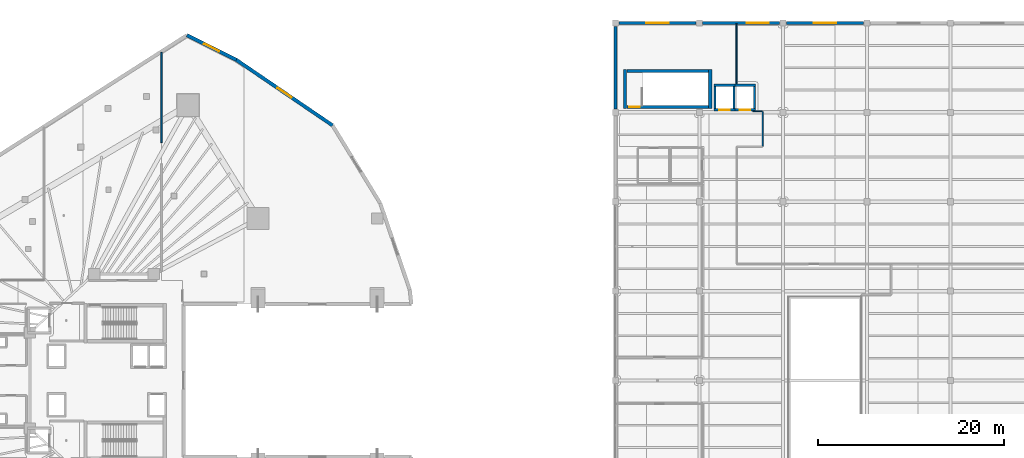
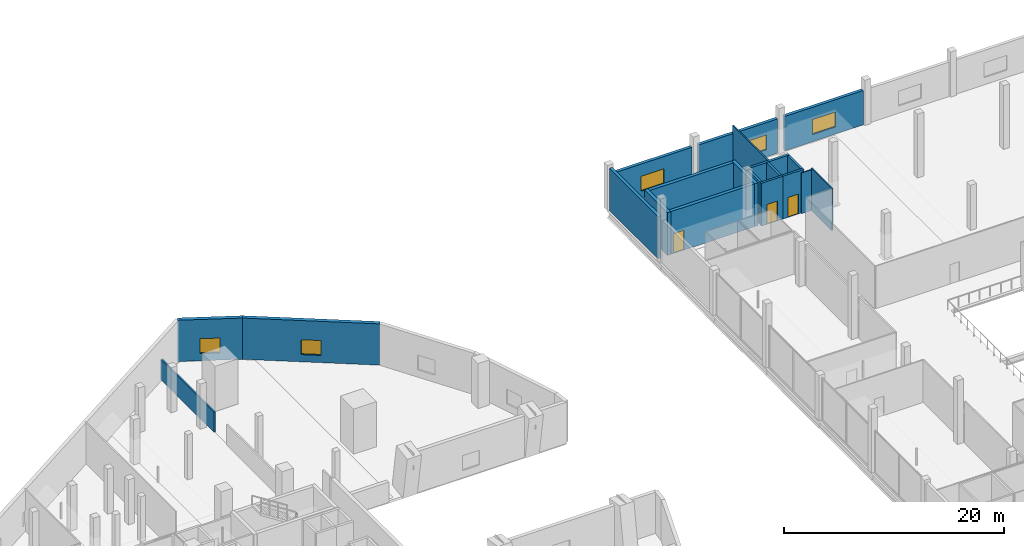
# One storey, part 33 of 43: 21 walls, 5 windows, 3 doors, 8 openings.
"""IFC4 building model written with IfcOpenShell, lengths in metres."""

from ifc_helpers import new_model, si_unit, direction, frame, frame_2d, origin, place, context, subcontext, project, spatial, rectangle, extrude, material, layer, layer_set, type_object, element, fill, save


model = new_model("IFC4")

# Units and contexts
model_context = context("Model", 3, precision=1e-05, world=origin(), true_north=direction((0.0, 1.0)))
body_context = subcontext(model_context, "Body", "Model", "MODEL_VIEW")
ifc_project = project(units=[si_unit("LENGTHUNIT", "METRE"), si_unit("AREAUNIT", "SQUARE_METRE"), si_unit("VOLUMEUNIT", "CUBIC_METRE"), si_unit("PLANEANGLEUNIT", "RADIAN"), si_unit("MASSUNIT", "GRAM", prefix="KILO")], contexts=[model_context])

# Site, building, storey
site_placement = place(None, origin())
site = spatial("IfcSite", under=ifc_project, at=site_placement, CompositionType="ELEMENT")
building_placement = place(site_placement, origin())
building = spatial("IfcBuilding", under=site, at=building_placement, Name="Qorvath Tower", CompositionType="ELEMENT")
storey_placement = place(building_placement, frame((0.0, 0.0, 22.0)))
storey = spatial("IfcBuildingStorey", under=building, at=storey_placement, Name="L04", CompositionType="ELEMENT", Elevation=22.0)

# Walls
ifc_material_1 = material(Name="Double acoustic gypsum board on steel studs", Category="steel")
ifc_layer_1 = layer(ifc_material_1, 0.159912109375)
ifc_layer_set_1 = layer_set([ifc_layer_1], Name="IW-ACOUSTIC-160")
wall_type_1 = type_object("IfcWallType", Name="IW-ACOUSTIC-160", PredefinedType="PARTITIONING", material=ifc_layer_set_1)
wall_1_placement = place(storey_placement, frame((-16.388427734375, 25.548095703125, 0.0), z_axis=(0.0, 0.0, 1.0), x_axis=(0.0, 1.0, 0.0)))
element("IfcWall", 1, at=wall_1_placement, inside=storey, type_object=wall_type_1, Name="Interior Partition IW-T1-L04-027", PredefinedType="PARTITIONING", context=body_context, shape_type="SweptSolid", body=[
    extrude(rectangle(XDim=9.70654296875, YDim=0.159912109375, at=frame_2d((4.853271484375, 0.0))), origin(), (0.0, 0.0, 1.0), 2.25),
])
ifc_material_2 = material(Name="Gypsum board on metal studs with mineral wool", Category="gypsum")
ifc_layer_2 = layer(ifc_material_2, 0.125)
ifc_layer_set_2 = layer_set([ifc_layer_2], Name="IW-PART-125")
wall_type_2 = type_object("IfcWallType", Name="IW-PART-125", PredefinedType="PARTITIONING", material=ifc_layer_set_2)
wall_2_placement = place(storey_placement, frame((48.18310546875, 28.907958984375, 0.0), z_axis=(0.0, 0.0, 1.0), x_axis=(-1.0, 0.0, 0.0)))
element("IfcWall", 2, at=wall_2_placement, inside=storey, type_object=wall_type_2, Name="Interior Partition IW-LB-L04-024", PredefinedType="PARTITIONING", context=body_context, shape_type="SweptSolid", body=[
    extrude(rectangle(XDim=1.05810546875, YDim=0.125, at=frame_2d((0.529052734375, 0.0))), origin(), (0.0, 0.0, 1.0), 4.512939453125),
])
wall_3_placement = place(storey_placement, frame((48.2080078125, 28.883056640625, 0.0), z_axis=(0.0, 0.0, 1.0), x_axis=(0.0, -1.0, 0.0)))
element("IfcWall", 3, at=wall_3_placement, inside=storey, type_object=wall_type_2, Name="Interior Partition IW-LB-L04-025", PredefinedType="PARTITIONING", context=body_context, shape_type="SweptSolid", body=[
    extrude(rectangle(XDim=3.745849609375, YDim=0.125, at=frame_2d((1.873046875, 0.0))), origin(), (0.0, 0.0, 1.0), 4.699951171875),
])
wall_4_placement = place(storey_placement, frame((45.39990234375, 38.320068359375, 0.0), z_axis=(0.0, 0.0, 1.0), x_axis=(0.0, -1.0, 0.0)))
element("IfcWall", 4, at=wall_4_placement, inside=storey, type_object=wall_type_2, Name="Interior Partition IW-LB-L04-029", PredefinedType="PARTITIONING", context=body_context, shape_type="SweptSolid", body=[
    extrude(rectangle(XDim=6.43505859375, YDim=0.125, at=frame_2d((3.217529296875, 0.0))), origin(), (0.0, 0.0, 1.0), 4.699951171875),
])

# Wall, opening, door
ifc_material_3 = material(Name="Concrete C60/75", Category="concrete")
ifc_layer_3 = layer(ifc_material_3, 0.260009765625)
ifc_layer_set_3 = layer_set([ifc_layer_3], Name="SW-SHAFT")
wall_type_3 = type_object("IfcWallType", Name="SW-SHAFT", PredefinedType="SHEAR", material=ifc_layer_set_3)
wall_5_placement = place(storey_placement, frame((45.239990234375, 29.080078125, 0.0), z_axis=(0.0, 0.0, 1.0), x_axis=(-1.0, 0.0, 0.0)))
wall_5 = element("IfcWall", 5, at=wall_5_placement, inside=storey, type_object=wall_type_3, Name="Hoistway Wall LL-1 L04 S", PredefinedType="SHEAR", context=body_context, shape_type="SweptSolid", body=[
    extrude(rectangle(XDim=2.280029296875, YDim=0.239990234375, at=frame_2d((1.14013671875, 0.0))), origin(), (0.0, 0.0, 1.0), 4.75),
])
opening_1_placement = place(wall_5_placement, frame((0.58984375, 0.0, 0.0)))
opening_1 = element("IfcOpeningElement", 6, at=opening_1_placement, cuts=wall_5, Name="Opening LD-LL-1-L04", PredefinedType="OPENING", context=body_context, shape_type="SweptSolid", body=[
    extrude(rectangle(XDim=1.10009765625, YDim=2.199951171875, at=frame_2d((0.550048828125, 1.10009765625))), frame((0.0, 0.1298828125, 0.0), z_axis=(0.0, -1.0, 0.0), x_axis=(1.0, 0.0, 0.0)), (0.0, 0.0, 1.0), 0.260009765625),
])
ifc_material_4 = material(Name="Brushed stainless steel AISI 316", Category="steel")
door_type_1 = type_object("IfcDoorType", Name="LD-01", OperationType="NOTDEFINED", PredefinedType="DOOR", material=ifc_material_4)
door_1_placement = place(opening_1_placement, origin())
door_1 = element("IfcDoor", 7, at=door_1_placement, inside=storey, type_object=door_type_1, Name="Elevator Landing Sliding Door LD-LL-1-L04", OperationType="DOUBLE_DOOR_SLIDING", OverallHeight=2.199951171875, OverallWidth=1.10009765625, PredefinedType="DOOR", context=body_context, shape_type="SweptSolid", body=[
    extrude(rectangle(XDim=1.10009765625, YDim=2.199951171875, at=frame_2d((0.550048828125, 1.10009765625))), frame((0.0, 0.02490234375, 0.0), z_axis=(0.0, -1.0, 0.0), x_axis=(1.0, 0.0, 0.0)), (0.0, 0.0, 1.0), 0.050048828125),
])
fill(opening_1, door_1)

# Walls
wall_6_placement = place(storey_placement, frame((42.9599609375, 31.719970703125, 0.0), z_axis=(0.0, 0.0, 1.0), x_axis=(1.0, 0.0, 0.0)))
element("IfcWall", 8, at=wall_6_placement, inside=storey, type_object=wall_type_3, Name="Hoistway Wall LL-1 L04 N", PredefinedType="SHEAR", context=body_context, shape_type="SweptSolid", body=[
    extrude(rectangle(XDim=2.280029296875, YDim=0.239990234375, at=frame_2d((1.14013671875, 0.0))), origin(), (0.0, 0.0, 1.0), 4.75),
])
for number, where, z_axis, x_axis, name in (
    (9, (43.080078125, 29.2119140625, 0.0), (0.0, 0.0, 1.0), (0.0, 1.0, 0.0), "Hoistway Wall LL-1 L04 W"),
    (10, (45.1201171875, 31.587890625, 0.0), (0.0, 0.0, 1.0), (0.0, -1.0, 0.0), "Hoistway Wall LL-1 L04 E"),
):
    element("IfcWall", number, at=place(storey_placement, frame(where, z_axis=z_axis, x_axis=x_axis)), inside=storey, type_object=wall_type_3, Name=name, PredefinedType="SHEAR", context=body_context, shape_type="SweptSolid", body=[
        extrude(rectangle(XDim=2.3759765625, YDim=0.239990234375, at=frame_2d((1.18798828125, 0.0))), origin(), (0.0, 0.0, 1.0), 4.75),
    ])

# Wall, opening, door
wall_7_placement = place(storey_placement, frame((47.43994140625, 29.080078125, 0.0), z_axis=(0.0, 0.0, 1.0), x_axis=(-1.0, 0.0, 0.0)))
wall_7 = element("IfcWall", 11, at=wall_7_placement, inside=storey, type_object=wall_type_3, Name="Hoistway Wall LL-2 L04 S", PredefinedType="SHEAR", context=body_context, shape_type="SweptSolid", body=[
    extrude(rectangle(XDim=2.199951171875, YDim=0.239990234375, at=frame_2d((1.10009765625, 0.0))), origin(), (0.0, 0.0, 1.0), 4.75),
])
opening_2_placement = place(wall_7_placement, frame((0.58984375, 0.0, 0.0)))
opening_2 = element("IfcOpeningElement", 12, at=opening_2_placement, cuts=wall_7, Name="Opening LD-LL-2-L04", PredefinedType="OPENING", context=body_context, shape_type="SweptSolid", body=[
    extrude(rectangle(XDim=1.10009765625, YDim=2.199951171875, at=frame_2d((0.550048828125, 1.10009765625))), frame((0.0, 0.1298828125, 0.0), z_axis=(0.0, -1.0, 0.0), x_axis=(1.0, 0.0, 0.0)), (0.0, 0.0, 1.0), 0.260009765625),
])
door_2_placement = place(opening_2_placement, origin())
door_2 = element("IfcDoor", 13, at=door_2_placement, inside=storey, type_object=door_type_1, Name="Elevator Landing Sliding Door LD-LL-2-L04", OperationType="DOUBLE_DOOR_SLIDING", OverallHeight=2.199951171875, OverallWidth=1.10009765625, PredefinedType="DOOR", context=body_context, shape_type="SweptSolid", body=[
    extrude(rectangle(XDim=1.10009765625, YDim=2.199951171875, at=frame_2d((0.550048828125, 1.10009765625))), frame((0.0, 0.02490234375, 0.0), z_axis=(0.0, -1.0, 0.0), x_axis=(1.0, 0.0, 0.0)), (0.0, 0.0, 1.0), 0.050048828125),
])
fill(opening_2, door_2)

# Walls
wall_8_placement = place(storey_placement, frame((45.239990234375, 31.719970703125, 0.0), z_axis=(0.0, 0.0, 1.0), x_axis=(1.0, 0.0, 0.0)))
element("IfcWall", 14, at=wall_8_placement, inside=storey, type_object=wall_type_3, Name="Hoistway Wall LL-2 L04 N", PredefinedType="SHEAR", context=body_context, shape_type="SweptSolid", body=[
    extrude(rectangle(XDim=2.199951171875, YDim=0.239990234375, at=frame_2d((1.10009765625, 0.0))), origin(), (0.0, 0.0, 1.0), 4.75),
])
wall_9_placement = place(storey_placement, frame((47.320068359375, 31.587890625, 0.0), z_axis=(0.0, 0.0, 1.0), x_axis=(0.0, -1.0, 0.0)))
element("IfcWall", 15, at=wall_9_placement, inside=storey, type_object=wall_type_3, Name="Hoistway Wall LL-2 L04 E", PredefinedType="SHEAR", context=body_context, shape_type="SweptSolid", body=[
    extrude(rectangle(XDim=2.3759765625, YDim=0.239990234375, at=frame_2d((1.18798828125, 0.0))), origin(), (0.0, 0.0, 1.0), 4.75),
])
ifc_material_5 = material(Name="Concrete C60/75", Category="concrete")
ifc_layer_4 = layer(ifc_material_5, 0.35009765625)
ifc_layer_set_4 = layer_set([ifc_layer_4], Name="SW-STAIR")
wall_type_4 = type_object("IfcWallType", Name="SW-STAIR", PredefinedType="SHEAR", material=ifc_layer_set_4)
for number, where, z_axis, x_axis, name in (
    (16, (33.425048828125, 33.409912109375, 0.0), (0.0, 0.0, 1.0), (0.0, -1.0, 0.0), "Stair LS1 Shear Wall L04 NEAR"),
    (17, (42.574951171875, 29.199951171875, 0.0), (0.0, 0.0, 1.0), (0.0, 1.0, 0.0), "Stair LS1 Shear Wall L04 FAR"),
):
    element("IfcWall", number, at=place(storey_placement, frame(where, z_axis=z_axis, x_axis=x_axis)), inside=storey, type_object=wall_type_4, Name=name, PredefinedType="SHEAR", context=body_context, shape_type="SweptSolid", body=[
        extrude(rectangle(XDim=4.2099609375, YDim=0.35009765625, at=frame_2d((2.10498046875, 0.0))), origin(), (0.0, 0.0, 1.0), 4.75),
    ])

# Wall, opening, door
wall_10_placement = place(storey_placement, frame((33.614990234375, 29.375, 0.0), z_axis=(0.0, 0.0, 1.0), x_axis=(1.0, 0.0, 0.0)))
wall_10 = element("IfcWall", 18, at=wall_10_placement, inside=storey, type_object=wall_type_4, Name="Stair LS1 Shear Wall L04 LEFT", PredefinedType="SHEAR", context=body_context, shape_type="SweptSolid", body=[
    extrude(rectangle(XDim=8.77001953125, YDim=0.35009765625, at=frame_2d((4.385009765625, 0.0))), origin(), (0.0, 0.0, 1.0), 4.75),
])
opening_3_placement = place(wall_10_placement, frame((0.280029296875, 0.0, 0.0)))
opening_3 = element("IfcOpeningElement", 19, at=opening_3_placement, cuts=wall_10, Name="Opening D-LS1-L04", PredefinedType="OPENING", context=body_context, shape_type="SweptSolid", body=[
    extrude(rectangle(XDim=1.10009765625, YDim=2.199951171875, at=frame_2d((0.550048828125, 1.10009765625))), frame((0.0, 0.18505859375, 0.0), z_axis=(0.0, -1.0, 0.0), x_axis=(1.0, 0.0, 0.0)), (0.0, 0.0, 1.0), 0.3701171875),
])
ifc_material_6 = material(Name="Painted galvanised hollow metal", Category="steel")
door_type_2 = type_object("IfcDoorType", Name="FD-90", OperationType="NOTDEFINED", PredefinedType="DOOR", material=ifc_material_6)
door_3_placement = place(opening_3_placement, origin())
door_3 = element("IfcDoor", 20, at=door_3_placement, inside=storey, type_object=door_type_2, Name="Stair LS1 Fire Door L04", OperationType="SINGLE_SWING_LEFT", OverallHeight=2.199951171875, OverallWidth=1.10009765625, PredefinedType="DOOR", context=body_context, shape_type="SweptSolid", body=[
    extrude(rectangle(XDim=1.10009765625, YDim=2.199951171875, at=frame_2d((0.550048828125, 1.10009765625))), frame((0.0, 0.02490234375, 0.0), z_axis=(0.0, -1.0, 0.0), x_axis=(1.0, 0.0, 0.0)), (0.0, 0.0, 1.0), 0.050048828125),
])
fill(opening_3, door_3)

# Walls
wall_11_placement = place(storey_placement, frame((42.385009765625, 33.235107421875, 0.0), z_axis=(0.0, 0.0, 1.0), x_axis=(-1.0, 0.0, 0.0)))
element("IfcWall", 21, at=wall_11_placement, inside=storey, type_object=wall_type_4, Name="Stair LS1 Shear Wall L04 RIGHT", PredefinedType="SHEAR", context=body_context, shape_type="SweptSolid", body=[
    extrude(rectangle(XDim=8.77001953125, YDim=0.35009765625, at=frame_2d((4.385009765625, 0.0))), origin(), (0.0, 0.0, 1.0), 4.75),
])
ifc_material_7 = material(Name="Precast concrete C45/55", Category="concrete")
ifc_layer_5 = layer(ifc_material_7, 0.320068359375)
ifc_layer_set_5 = layer_set([ifc_layer_5], Name="WL-EW-LIB-320")
wall_type_5 = type_object("IfcWallType", Name="WL-EW-LIB-320", PredefinedType="SOLIDWALL", material=ifc_layer_set_5)
wall_12_placement = place(storey_placement, frame((32.39990234375, 29.169921875, 0.0), z_axis=(0.0, 0.0, 1.0), x_axis=(0.0, 1.0, 0.0)))
element("IfcWall", 22, at=wall_12_placement, inside=storey, type_object=wall_type_5, Name="Library West Precast Facade Wall L04-8", PredefinedType="SOLIDWALL", context=body_context, shape_type="SweptSolid", body=[
    extrude(rectangle(XDim=8.860107421875, YDim=0.320068359375, at=frame_2d((4.43017578125, 0.0))), origin(), (0.0, 0.0, 1.0), 4.699951171875),
])

# Wall, opening, window
wall_13_placement = place(storey_placement, frame((50.77001953125, 38.39990234375, 0.0), z_axis=(0.0, 0.0, 1.0), x_axis=(1.0, 0.0, 0.0)))
wall_13 = element("IfcWall", 23, at=wall_13_placement, inside=storey, type_object=wall_type_5, Name="Library N Precast Wall L04-3", PredefinedType="SOLIDWALL", context=body_context, shape_type="SweptSolid", body=[
    extrude(rectangle(XDim=8.260009765625, YDim=0.320068359375, at=frame_2d((4.1298828125, 0.0))), origin(), (0.0, 0.0, 1.0), 3.81494140625),
])
opening_4_placement = place(wall_13_placement, frame((2.929931640625, 0.0, 0.800048828125)))
opening_4 = element("IfcOpeningElement", 24, at=opening_4_placement, cuts=wall_13, Name="Opening WN-L-131", PredefinedType="OPENING", context=body_context, shape_type="SweptSolid", body=[
    extrude(rectangle(XDim=2.39990234375, YDim=1.64990234375, at=frame_2d((1.199951171875, 0.824951171875))), frame((0.0, 0.169921875, 0.0), z_axis=(0.0, -1.0, 0.0), x_axis=(1.0, 0.0, 0.0)), (0.0, 0.0, 1.0), 0.340087890625),
])
ifc_material_8 = material(Name="Thermally broken aluminium and triple low-E glass", Category="aluminium")
window_type_1 = type_object("IfcWindowType", Name="WN-2", PartitioningType="SINGLE_PANEL", PredefinedType="WINDOW", material=ifc_material_8)
window_1_placement = place(opening_4_placement, origin())
window_1 = element("IfcWindow", 25, at=window_1_placement, inside=storey, type_object=window_type_1, Name="Library Reading Punched Window 131", OverallHeight=1.64990234375, OverallWidth=2.39990234375, PartitioningType="SINGLE_PANEL", PredefinedType="WINDOW", context=body_context, shape_type="SweptSolid", body=[
    extrude(rectangle(XDim=2.39990234375, YDim=1.64990234375, at=frame_2d((1.199951171875, 0.824951171875))), frame((0.0, 0.030029296875, 0.0), z_axis=(0.0, -1.0, 0.0), x_axis=(1.0, 0.0, 0.0)), (0.0, 0.0, 1.0), 0.06005859375),
])
fill(opening_4, window_1)

wall_14_placement = place(storey_placement, frame((41.77001953125, 38.39990234375, 0.0), z_axis=(0.0, 0.0, 1.0), x_axis=(1.0, 0.0, 0.0)))
wall_14 = element("IfcWall", 26, at=wall_14_placement, inside=storey, type_object=wall_type_5, Name="Library N Precast Wall L04-4", PredefinedType="SOLIDWALL", context=body_context, shape_type="SweptSolid", body=[
    extrude(rectangle(XDim=8.260009765625, YDim=0.320068359375, at=frame_2d((4.1298828125, 0.0))), origin(), (0.0, 0.0, 1.0), 3.81494140625),
])
opening_5_placement = place(wall_14_placement, frame((4.699951171875, 0.0, 0.800048828125)))
opening_5 = element("IfcOpeningElement", 27, at=opening_5_placement, cuts=wall_14, Name="Opening WN-L-132", PredefinedType="OPENING", context=body_context, shape_type="SweptSolid", body=[
    extrude(rectangle(XDim=2.39990234375, YDim=1.64990234375, at=frame_2d((1.199951171875, 0.824951171875))), frame((0.0, 0.169921875, 0.0), z_axis=(0.0, -1.0, 0.0), x_axis=(1.0, 0.0, 0.0)), (0.0, 0.0, 1.0), 0.340087890625),
])
window_2_placement = place(opening_5_placement, origin())
window_2 = element("IfcWindow", 28, at=window_2_placement, inside=storey, type_object=window_type_1, Name="Library Reading Punched Window 132", OverallHeight=1.64990234375, OverallWidth=2.39990234375, PartitioningType="SINGLE_PANEL", PredefinedType="WINDOW", context=body_context, shape_type="SweptSolid", body=[
    extrude(rectangle(XDim=2.39990234375, YDim=1.64990234375, at=frame_2d((1.199951171875, 0.824951171875))), frame((0.0, 0.030029296875, 0.0), z_axis=(0.0, -1.0, 0.0), x_axis=(1.0, 0.0, 0.0)), (0.0, 0.0, 1.0), 0.06005859375),
])
fill(opening_5, window_2)

wall_15_placement = place(storey_placement, frame((32.77001953125, 38.39990234375, 0.0), z_axis=(0.0, 0.0, 1.0), x_axis=(1.0, 0.0, 0.0)))
wall_15 = element("IfcWall", 29, at=wall_15_placement, inside=storey, type_object=wall_type_5, Name="Library N Precast Wall L04-5", PredefinedType="SOLIDWALL", context=body_context, shape_type="SweptSolid", body=[
    extrude(rectangle(XDim=8.260009765625, YDim=0.320068359375, at=frame_2d((4.1298828125, 0.0))), origin(), (0.0, 0.0, 1.0), 3.81494140625),
])
opening_6_placement = place(wall_15_placement, frame((2.929931640625, 0.0, 0.800048828125)))
opening_6 = element("IfcOpeningElement", 30, at=opening_6_placement, cuts=wall_15, Name="Opening WN-L-133", PredefinedType="OPENING", context=body_context, shape_type="SweptSolid", body=[
    extrude(rectangle(XDim=2.39990234375, YDim=1.64990234375, at=frame_2d((1.199951171875, 0.824951171875))), frame((0.0, 0.169921875, 0.0), z_axis=(0.0, -1.0, 0.0), x_axis=(1.0, 0.0, 0.0)), (0.0, 0.0, 1.0), 0.340087890625),
])
window_3_placement = place(opening_6_placement, origin())
window_3 = element("IfcWindow", 31, at=window_3_placement, inside=storey, type_object=window_type_1, Name="Library Reading Punched Window 133", OverallHeight=1.64990234375, OverallWidth=2.39990234375, PartitioningType="SINGLE_PANEL", PredefinedType="WINDOW", context=body_context, shape_type="SweptSolid", body=[
    extrude(rectangle(XDim=2.39990234375, YDim=1.64990234375, at=frame_2d((1.199951171875, 0.824951171875))), frame((0.0, 0.030029296875, 0.0), z_axis=(0.0, -1.0, 0.0), x_axis=(1.0, 0.0, 0.0)), (0.0, 0.0, 1.0), 0.06005859375),
])
fill(opening_6, window_3)

ifc_material_9 = material(Name="Precast concrete C50/60", Category="concrete")
ifc_layer_6 = layer(ifc_material_9, 0.3798828125)
ifc_layer_set_6 = layer_set([ifc_layer_6], Name="WL-EW-POD-380")
wall_type_6 = type_object("IfcWallType", Name="WL-EW-POD-380", PredefinedType="SOLIDWALL", material=ifc_layer_set_6)
wall_16_placement = place(storey_placement, frame((-8.3359375, 34.44482421875, 0.0), z_axis=(0.0, 0.0, 1.0), x_axis=(0.826650936963, -0.562715050819, 0.0)))
wall_16 = element("IfcWall", 32, at=wall_16_placement, inside=storey, type_object=wall_type_6, Name="Tower Podium Precast Facade Wall L04-7.1", PredefinedType="SOLIDWALL", context=body_context, shape_type="SweptSolid", body=[
    extrude(rectangle(XDim=12.528076171875, YDim=0.3798828125, at=frame_2d((6.26416015625, 0.0))), origin(), (0.0, 0.0, 1.0), 4.580078125),
])
opening_7_placement = place(wall_16_placement, frame((5.364013671875, 0.0, 0.800048828125)))
opening_7 = element("IfcOpeningElement", 33, at=opening_7_placement, cuts=wall_16, Name="Opening WN-L04-048", PredefinedType="OPENING", context=body_context, shape_type="SweptSolid", body=[
    extrude(rectangle(XDim=1.800048828125, YDim=1.64990234375, at=frame_2d((0.89990234375, 0.824951171875))), frame((0.0, 0.199951171875, 0.0), z_axis=(0.0, -1.0, 0.0), x_axis=(1.0, 0.0, 0.0)), (0.0, 0.0, 1.0), 0.39990234375),
])
ifc_material_10 = material(Name="Thermally broken aluminium and triple low-E glass", Category="aluminium")
window_type_2 = type_object("IfcWindowType", Name="WN-1", PartitioningType="SINGLE_PANEL", PredefinedType="WINDOW", material=ifc_material_10)
window_4_placement = place(opening_7_placement, origin())
window_4 = element("IfcWindow", 34, at=window_4_placement, inside=storey, type_object=window_type_2, Name="Podium Punched Window L04-048", OverallHeight=1.64990234375, OverallWidth=1.800048828125, PartitioningType="SINGLE_PANEL", PredefinedType="WINDOW", context=body_context, shape_type="SweptSolid", body=[
    extrude(rectangle(XDim=1.800048828125, YDim=1.64990234375, at=frame_2d((0.89990234375, 0.824951171875))), frame((0.0, 0.030029296875, 0.0), z_axis=(0.0, -1.0, 0.0), x_axis=(1.0, 0.0, 0.0)), (0.0, 0.0, 1.0), 0.06005859375),
])
fill(opening_7, window_4)

wall_17_placement = place(storey_placement, frame((-13.63525390625, 37.094482421875, 0.0), z_axis=(0.0, 0.0, 1.0), x_axis=(0.894427191, -0.4472135955, 0.0)))
wall_17 = element("IfcWall", 35, at=wall_17_placement, inside=storey, type_object=wall_type_6, Name="Tower Podium Precast Facade Wall L04-8.1", PredefinedType="SOLIDWALL", context=body_context, shape_type="SweptSolid", body=[
    extrude(rectangle(XDim=5.9248046875, YDim=0.3798828125, at=frame_2d((2.96240234375, 0.0))), origin(), (0.0, 0.0, 1.0), 4.580078125),
])
opening_8_placement = place(wall_17_placement, frame((2.0625, 0.0, 0.800048828125)))
opening_8 = element("IfcOpeningElement", 36, at=opening_8_placement, cuts=wall_17, Name="Opening WN-L04-049", PredefinedType="OPENING", context=body_context, shape_type="SweptSolid", body=[
    extrude(rectangle(XDim=1.800048828125, YDim=1.64990234375, at=frame_2d((0.89990234375, 0.824951171875))), frame((0.0, 0.199951171875, 0.0), z_axis=(0.0, -1.0, 0.0), x_axis=(1.0, 0.0, 0.0)), (0.0, 0.0, 1.0), 0.39990234375),
])
window_5_placement = place(opening_8_placement, origin())
window_5 = element("IfcWindow", 37, at=window_5_placement, inside=storey, type_object=window_type_2, Name="Podium Punched Window L04-049", OverallHeight=1.64990234375, OverallWidth=1.800048828125, PartitioningType="SINGLE_PANEL", PredefinedType="WINDOW", context=body_context, shape_type="SweptSolid", body=[
    extrude(rectangle(XDim=1.800048828125, YDim=1.64990234375, at=frame_2d((0.89990234375, 0.824951171875))), frame((0.0, 0.030029296875, 0.0), z_axis=(0.0, -1.0, 0.0), x_axis=(1.0, 0.0, 0.0)), (0.0, 0.0, 1.0), 0.06005859375),
])
fill(opening_8, window_5)

save(model, "model.ifc")
